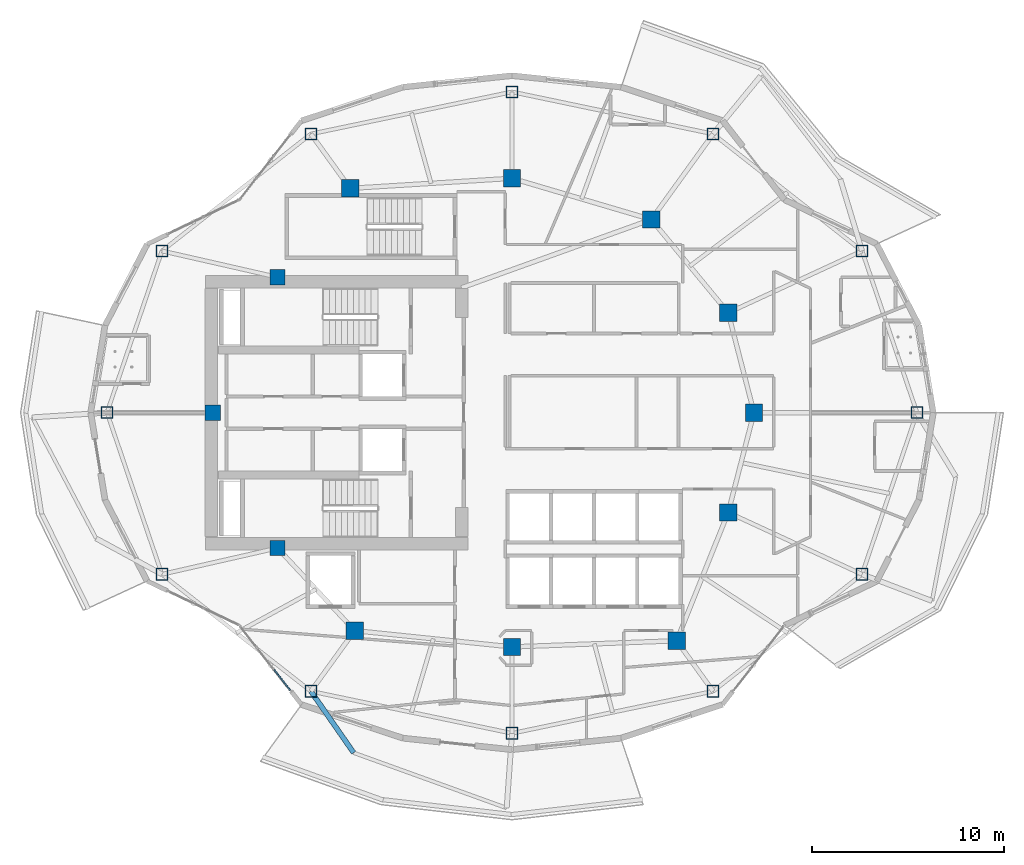
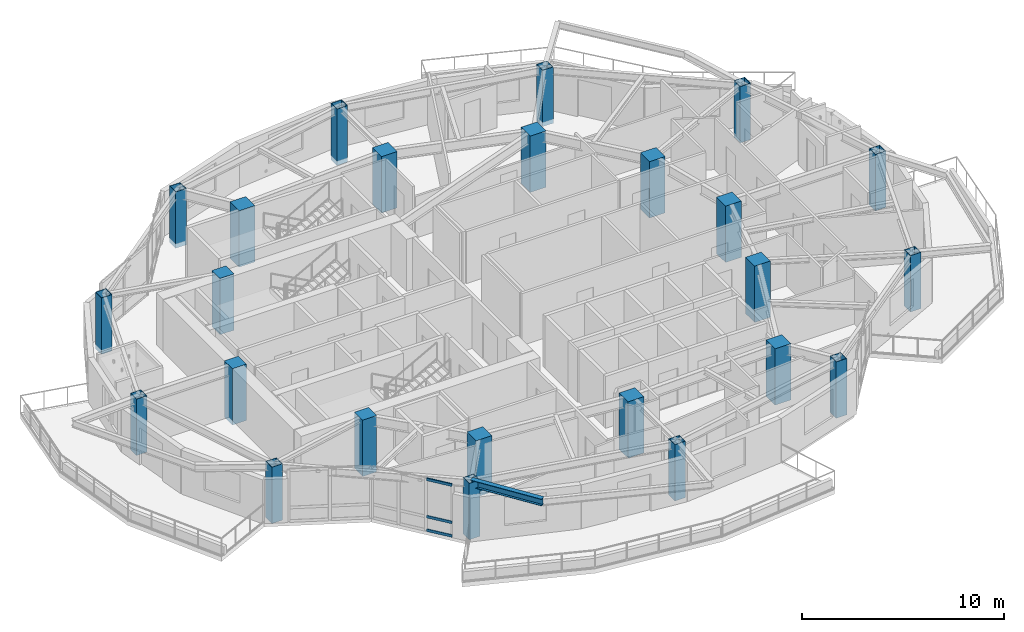
# One storey, part 1 of 19: 24 columns, 3 members, 1 beam, 1 element without a shape of its own.
"""IFC4 building model written with IfcOpenShell, lengths in metres."""

import ifcopenshell
import ifcopenshell.guid

model = None  # the IFC model being written
_history = None  # IfcOwnerHistory: only IFC2X3 demands one
_inside = {}  # id of a spatial element -> (the spatial element, [elements in it])
_under = {}  # id of a project, library or spatial element -> (it, [spatial elements below it])
_declared = {}  # id of a project -> (the project, [libraries it declares])
_typed = {}  # id of a type object -> (the type object, [elements of that type])
_made_of = {}  # id of a material, layer set ... -> (it, [elements and type objects made of it])


def new_model(schema):
    """Start an empty IFC model of exactly this schema.

    Asked for "IFC4X3", IfcOpenShell would pick the latest addendum, in which some entities
    have other attributes; the version numbers below select the first issue.
    IFC2X3 requires an IfcOwnerHistory on every rooted entity: one is made here for all.
    """
    global model, _history
    if schema == "IFC4X3":
        model = ifcopenshell.file(schema_version=(4, 3, 0, 0))
    else:
        model = ifcopenshell.file(schema=schema)
    _inside.clear()
    _under.clear()
    _declared.clear()
    _typed.clear()
    _made_of.clear()
    _history = None
    if model.schema == "IFC2X3":
        org = make("IfcOrganization", Name="unknown")
        user = make(
            "IfcPersonAndOrganization",
            ThePerson=make("IfcPerson", FamilyName="unknown"),
            TheOrganization=org,
        )
        app = make(
            "IfcApplication",
            ApplicationDeveloper=org,
            Version="unknown",
            ApplicationFullName="unknown",
            ApplicationIdentifier="unknown",
        )
        _history = make(
            "IfcOwnerHistory",
            OwningUser=user,
            OwningApplication=app,
            ChangeAction="ADDED",
            CreationDate=0,
        )
    return model


def make(cls, **values):
    """One entity of the class cls with the attributes given. An attribute that is None is left unset."""
    return model.create_entity(
        cls, **{name: value for name, value in values.items() if value is not None}
    )


def rooted(cls, **values):
    """An entity with a GlobalId (a new one), such as an element, a storey or a relation."""
    return make(cls, GlobalId=ifcopenshell.guid.new(), OwnerHistory=_history, **values)


def si_unit(unit_type, name, prefix=None):
    """IfcSIUnit, for example si_unit("LENGTHUNIT", "METRE", prefix="MILLI")."""
    return make("IfcSIUnit", UnitType=unit_type, Prefix=prefix, Name=name)


def assignment(units):
    """IfcUnitAssignment: the units of a project."""
    return None if units is None else make("IfcUnitAssignment", Units=units)


def point(xyz):
    """IfcCartesianPoint."""
    return None if xyz is None else make("IfcCartesianPoint", Coordinates=xyz)


def direction(xyz):
    """IfcDirection."""
    return None if xyz is None else make("IfcDirection", DirectionRatios=xyz)


def frame(location, z_axis=None, x_axis=None):
    """IfcAxis2Placement3D, a coordinate frame: its origin and axes. An axis left out is left unset."""
    return make(
        "IfcAxis2Placement3D",
        Location=point(location),
        Axis=direction(z_axis),
        RefDirection=direction(x_axis),
    )


def frame_2d(location, x_axis=None):
    """IfcAxis2Placement2D, a coordinate frame in the plane: its origin and x axis."""
    return make(
        "IfcAxis2Placement2D", Location=point(location), RefDirection=direction(x_axis)
    )


def origin():
    """The frame at (0, 0, 0) with its axes left unset."""
    return frame((0.0, 0.0, 0.0))


def origin_2d():
    """The frame at (0, 0) in the plane with its x axis left unset."""
    return frame_2d((0.0, 0.0))


def place(relative_to, where):
    """IfcLocalPlacement: puts the frame where relative to a parent placement (None: the world)."""
    return make(
        "IfcLocalPlacement", PlacementRelTo=relative_to, RelativePlacement=where
    )


def context(
    kind, dimensions, precision=None, world=None, true_north=None, identifier=None
):
    """IfcGeometricRepresentationContext, for example the 3D "Model" context."""
    return make(
        "IfcGeometricRepresentationContext",
        ContextIdentifier=identifier,
        ContextType=kind,
        CoordinateSpaceDimension=dimensions,
        Precision=precision,
        WorldCoordinateSystem=world,
        TrueNorth=true_north,
    )


def subcontext(parent, identifier, kind, view, scale=None):
    """IfcGeometricRepresentationSubContext, for example "Body" below "Model"."""
    return make(
        "IfcGeometricRepresentationSubContext",
        ContextIdentifier=identifier,
        ContextType=kind,
        ParentContext=parent,
        TargetScale=scale,
        TargetView=view,
    )


def project(units=None, contexts=None):
    """IfcProject with its units and contexts."""
    return rooted(
        "IfcProject",
        Name="project",
        RepresentationContexts=contexts,
        UnitsInContext=assignment(units),
    )


def spatial(cls, under=None, at=None, **own):
    """A site, building, storey or space (cls), placed at a placement, below another one or the project."""
    s = rooted(cls, ObjectPlacement=at, **own)
    if under is not None:
        _under.setdefault(under.id(), (under, []))[1].append(s)
    return s


def profile(cls, at=None, kind="AREA", **sizes):
    """A parametric profile (cls). Its sizes go by their IFC names, for example OverallWidth=200.0."""
    return make(cls, ProfileType=kind, Position=at, **sizes)


def rectangle(**sizes):
    """IfcRectangleProfileDef."""
    return profile("IfcRectangleProfileDef", **sizes)


def hollow_rectangle(**sizes):
    """IfcRectangleHollowProfileDef."""
    return profile("IfcRectangleHollowProfileDef", **sizes)


def i_section(**sizes):
    """IfcIShapeProfileDef."""
    return profile("IfcIShapeProfileDef", **sizes)


def extrude(swept, where, along, depth):
    """IfcExtrudedAreaSolid: the profile swept, set in the frame where, extruded along a direction by depth."""
    return make(
        "IfcExtrudedAreaSolid",
        SweptArea=swept,
        Position=where,
        ExtrudedDirection=direction(along),
        Depth=depth,
    )


def shape(context_of_items, identifier, shape_type, items):
    """IfcShapeRepresentation: the items that make up one representation, for example the "Body"."""
    return make(
        "IfcShapeRepresentation",
        ContextOfItems=context_of_items,
        RepresentationIdentifier=identifier,
        RepresentationType=shape_type,
        Items=items,
    )


def material(Name=None, Category=None):
    """IfcMaterial."""
    return make("IfcMaterial", Name=Name, Category=Category)


def layer(
    of_material, thickness, ventilated=None, Name=None, Category=None, Priority=None
):
    """IfcMaterialLayer: one layer of a wall or slab, of a material (None: an air gap)."""
    return make(
        "IfcMaterialLayer",
        Material=of_material,
        LayerThickness=thickness,
        IsVentilated=ventilated,
        Name=Name,
        Category=Category,
        Priority=Priority,
    )


def layer_set(layers, Name=None):
    """IfcMaterialLayerSet."""
    return make("IfcMaterialLayerSet", MaterialLayers=layers, LayerSetName=Name)


def material_profile(
    of_material, cross_section, Name=None, Category=None, Priority=None
):
    """IfcMaterialProfile: a cross section and its material."""
    return make(
        "IfcMaterialProfile",
        Name=Name,
        Material=of_material,
        Profile=cross_section,
        Priority=Priority,
        Category=Category,
    )


def profile_set(profiles, Name=None, composite=None):
    """IfcMaterialProfileSet."""
    return make(
        "IfcMaterialProfileSet",
        Name=Name,
        MaterialProfiles=profiles,
        CompositeProfile=composite,
    )


def made_of(thing, what):
    """Note that an element or type object is made of a material, layer set ...; save() writes the relation."""
    if what is not None:
        _made_of.setdefault(what.id(), (what, []))[1].append(thing)
    return thing


def type_object(cls, material=None, **own):
    """A type object (cls), such as IfcWallType, which elements share."""
    return made_of(rooted(cls, **own), material)


def element(
    cls,
    number,
    at=None,
    inside=None,
    cuts=None,
    type_object=None,
    material=None,
    context=None,
    identifier="Body",
    shape_type=None,
    held_by="IfcProductDefinitionShape",
    body=None,
    shapes=None,
    **own,
):
    """One element of the class cls, such as IfcWall. Its Tag is "e" and its number.

    at: its placement. inside: the storey or other place that contains it. cuts: it is an
    opening in that element (IfcRelVoidsElement). A single representation is given by context,
    identifier, shape_type and body (its items); several are given by shapes. held_by: the class
    of the entity that holds the representations. save() writes the other relations.
    """
    e = rooted(cls, Tag="e%d" % number, ObjectPlacement=at, **own)
    if body is not None:
        shapes = [shape(context, identifier, shape_type, body)]
    if shapes is not None:
        e.Representation = make(held_by, Representations=shapes)
    if inside is not None:
        _inside.setdefault(inside.id(), (inside, []))[1].append(e)
    if cuts is not None:
        rooted(
            "IfcRelVoidsElement", RelatingBuildingElement=cuts, RelatedOpeningElement=e
        )
    if type_object is not None:
        _typed.setdefault(type_object.id(), (type_object, []))[1].append(e)
    return made_of(e, material)


def aggregate(whole, parts):
    """IfcRelAggregates: a whole, such as a stair, and the parts it consists of."""
    return rooted("IfcRelAggregates", RelatingObject=whole, RelatedObjects=parts)


def save(model, path):
    """Write the relations noted so far, then the file.

    IfcRelAggregates (storeys below a building ...), IfcRelContainedInSpatialStructure (elements
    in a storey), IfcRelDefinesByType, IfcRelAssociatesMaterial and IfcRelDeclares: one each for
    every whole, place, type object, material and project.
    """
    for whole, parts in _under.values():
        aggregate(whole, parts)
    for where, things in _inside.values():
        rooted(
            "IfcRelContainedInSpatialStructure",
            RelatedElements=things,
            RelatingStructure=where,
        )
    for kind, things in _typed.values():
        rooted("IfcRelDefinesByType", RelatedObjects=things, RelatingType=kind)
    for what, things in _made_of.values():
        rooted("IfcRelAssociatesMaterial", RelatedObjects=things, RelatingMaterial=what)
    for by, libraries in _declared.values():
        rooted("IfcRelDeclares", RelatingContext=by, RelatedDefinitions=libraries)
    model.write(path)


model = new_model("IFC4")

# Units and contexts
model_context = context("Model", 3, precision=1e-05, world=origin(), true_north=direction((0.0, 1.0)))
body_context = subcontext(model_context, "Body", "Model", "MODEL_VIEW")
ifc_project = project(units=[si_unit("LENGTHUNIT", "METRE"), si_unit("AREAUNIT", "SQUARE_METRE"), si_unit("VOLUMEUNIT", "CUBIC_METRE"), si_unit("PLANEANGLEUNIT", "RADIAN"), si_unit("MASSUNIT", "GRAM", prefix="KILO")], contexts=[model_context])

# Site, building, storey
site_placement = place(None, origin())
site = spatial("IfcSite", under=ifc_project, at=site_placement, CompositionType="ELEMENT")
building_placement = place(site_placement, origin())
building = spatial("IfcBuilding", under=site, at=building_placement, Name="Kolvaren Gate Tower and Convention Centre", CompositionType="ELEMENT")
storey_placement = place(building_placement, frame((0.0, 0.0, 163.10009765625)))
storey = spatial("IfcBuildingStorey", under=building, at=storey_placement, Name="L42", CompositionType="ELEMENT", Elevation=163.10009765625)

# Columns
ifc_material_1 = material(Name="Structural steel ASTM A1085 Grade A 345 MPa", Category="steel")
ifc_material_profile_1 = material_profile(ifc_material_1, hollow_rectangle(XDim=0.610107421875, YDim=0.610107421875, WallThickness=0.025390625, at=origin_2d()), Name="HSS610X610X25.4")
ifc_profile_set_1 = profile_set([ifc_material_profile_1], Name="Structural steel ASTM A1085 Grade A 345 MPa")
column_type_1 = type_object("IfcColumnType", Name="STR-COL-HSS610", PredefinedType="COLUMN", material=ifc_profile_set_1)
for number, where, z_axis, x_axis, name in (
    (1, (51.21240234375, 27.0, -0.27001953125), (0.0, 0.0, 1.0), (1.0, 0.0, 0.0), "Tower L42 Perimeter Supercolumn TP-01"),
    (2, (48.351806640625, 35.418701171875, -0.27001953125), (0.0, 0.0, 1.0), (1.0, 0.0, 0.0), "Tower L42 Perimeter Supercolumn TP-02"),
    (3, (40.596435546875, 41.509521484375, -0.27001953125), (0.0, 0.0, 1.0), (1.0, 0.0, 0.0), "Tower L42 Perimeter Supercolumn TP-03"),
    (4, (30.125, 43.699951171875, -0.27001953125), (0.0, 0.0, 1.0), (1.0, 0.0, 0.0), "Tower L42 Perimeter Supercolumn TP-04"),
    (5, (19.65380859375, 41.509521484375, -0.27001953125), (0.0, 0.0, 1.0), (1.0, 0.0, 0.0), "Tower L42 Perimeter Supercolumn TP-05"),
    (6, (11.898193359375, 35.418701171875, -0.27001953125), (0.0, 0.0, 1.0), (1.0, 0.0, 0.0), "Tower L42 Perimeter Supercolumn TP-06"),
    (7, (9.03759765625, 27.0, -0.27001953125), (0.0, 0.0, 1.0), (1.0, 0.0, 0.0), "Tower L42 Perimeter Supercolumn TP-07"),
    (8, (11.898193359375, 18.581298828125, -0.27001953125), (0.0, 0.0, 1.0), (1.0, 0.0, 0.0), "Tower L42 Perimeter Supercolumn TP-08"),
    (9, (19.653564453125, 12.490478515625, -0.27001953125), (0.0, 0.0, 1.0), (1.0, 0.0, 0.0), "Tower L42 Perimeter Supercolumn TP-09"),
    (10, (30.125, 10.300048828125, -0.27001953125), (0.0, 0.0, 1.0), (1.0, 0.0, 0.0), "Tower L42 Perimeter Supercolumn TP-10"),
    (11, (40.596435546875, 12.490478515625, -0.27001953125), (0.0, 0.0, 1.0), (1.0, 0.0, 0.0), "Tower L42 Perimeter Supercolumn TP-11"),
    (12, (48.351806640625, 18.581298828125, -0.27001953125), (0.0, 0.0, 1.0), (1.0, 0.0, 0.0), "Tower L42 Perimeter Supercolumn TP-12"),
):
    element("IfcColumn", number, at=place(storey_placement, frame(where, z_axis=z_axis, x_axis=x_axis)), inside=storey, type_object=column_type_1, Name=name, PredefinedType="COLUMN", context=body_context, shape_type="SweptSolid", body=[
        extrude(hollow_rectangle(XDim=0.610107421875, YDim=0.610107421875, WallThickness=0.025390625, at=origin_2d()), origin(), (0.0, 0.0, 1.0), 3.39990234375),
    ])
ifc_material_2 = material(Name="Concrete C60/75", Category="concrete")
ifc_material_profile_2 = material_profile(ifc_material_2, rectangle(XDim=0.89990234375, YDim=0.89990234375, at=origin_2d()), Name="RC-COL-900X900")
ifc_profile_set_2 = profile_set([ifc_material_profile_2], Name="Concrete C60/75")
column_type_2 = type_object("IfcColumnType", Name="STR-COL-RC900", PredefinedType="COLUMN", material=ifc_profile_set_2)
for number, where, z_axis, x_axis, name in (
    (13, (42.72509765625, 27.0, -0.27001953125), (0.0, 0.0, 1.0), (1.0, 0.0, 0.0), "Tower L42 Interior Column TI-01"),
    (14, (41.382080078125, 32.199462890625, -0.27001953125), (0.0, 0.0, 1.0), (1.0, 0.0, 0.0), "Tower L42 Interior Column TI-02"),
    (15, (37.381591796875, 37.054931640625, -0.27001953125), (0.0, 0.0, 1.0), (1.0, 0.0, 0.0), "Tower L42 Interior Column TI-03"),
    (16, (30.125, 39.199951171875, -0.27001953125), (0.0, 0.0, 1.0), (1.0, 0.0, 0.0), "Tower L42 Interior Column TI-04"),
    (17, (21.697998046875, 38.6767578125, -0.27001953125), (0.0, 0.0, 1.0), (1.0, 0.0, 0.0), "Tower L42 Interior Column TI-05"),
    (18, (21.93212890625, 15.647705078125, -0.27001953125), (0.0, 0.0, 1.0), (1.0, 0.0, 0.0), "Tower L42 Interior Column TI-06"),
    (19, (30.125, 14.800048828125, -0.27001953125), (0.0, 0.0, 1.0), (1.0, 0.0, 0.0), "Tower L42 Interior Column TI-07"),
    (20, (38.6982421875, 15.12060546875, -0.27001953125), (0.0, 0.0, 1.0), (1.0, 0.0, 0.0), "Tower L42 Interior Column TI-08"),
    (21, (41.382080078125, 21.800537109375, -0.27001953125), (0.0, 0.0, 1.0), (1.0, 0.0, 0.0), "Tower L42 Interior Column TI-09"),
):
    element("IfcColumn", number, at=place(storey_placement, frame(where, z_axis=z_axis, x_axis=x_axis)), inside=storey, type_object=column_type_2, Name=name, PredefinedType="COLUMN", context=body_context, shape_type="SweptSolid", body=[
        extrude(rectangle(XDim=0.89990234375, YDim=0.89990234375, at=origin_2d()), origin(), (0.0, 0.0, 1.0), 3.39990234375),
    ])
ifc_material_profile_3 = material_profile(ifc_material_2, rectangle(XDim=0.800048828125, YDim=0.800048828125, at=origin_2d()), Name="RC-COL-800X800")
ifc_profile_set_3 = profile_set([ifc_material_profile_3], Name="Concrete C60/75")
column_type_3 = type_object("IfcColumnType", Name="STR-PIL-RC800", PredefinedType="PILASTER", material=ifc_profile_set_3)
for number, where, z_axis, x_axis, name in (
    (22, (17.9140625, 34.050048828125, -0.27001953125), (0.0, 0.0, 1.0), (1.0, 0.0, 0.0), "Tower L42 Core Boundary Pilaster TC-05"),
    (23, (14.550048828125, 27.0, -0.27001953125), (0.0, 0.0, 1.0), (1.0, 0.0, 0.0), "Tower L42 Core Boundary Pilaster TC-06"),
    (24, (17.9140625, 19.949951171875, -0.27001953125), (0.0, 0.0, 1.0), (1.0, 0.0, 0.0), "Tower L42 Core Boundary Pilaster TC-07"),
):
    element("IfcColumn", number, at=place(storey_placement, frame(where, z_axis=z_axis, x_axis=x_axis)), inside=storey, type_object=column_type_3, Name=name, PredefinedType="PILASTER", context=body_context, shape_type="SweptSolid", body=[
        extrude(rectangle(XDim=0.800048828125, YDim=0.800048828125, at=origin_2d()), origin(), (0.0, 0.0, 1.0), 3.39990234375),
    ])

# Curtain wall, members
ifc_material_3 = material(Name="Anodized Architectural Aluminium Alloy 6063-T6", Category="aluminium")
ifc_layer = layer(ifc_material_3, 0.159912109375)
ifc_layer_set = layer_set([ifc_layer], Name="Anodized Architectural Aluminium Alloy 6063-T6")
curtain_wall_type = type_object("IfcCurtainWallType", Name="CW-HTL-UNIT", PredefinedType="NOTDEFINED", material=ifc_layer_set)
curtain_wall_placement = place(storey_placement, origin())
curtain_wall = element("IfcCurtainWall", 25, at=curtain_wall_placement, inside=storey, type_object=curtain_wall_type, Name="Tower L42 Unitised Curtain Wall CW-HTL-UNIT Bay 15", PredefinedType="NOTDEFINED")
ifc_material_profile_4 = material_profile(ifc_material_3, rectangle(XDim=0.06494140625, YDim=0.159912109375, at=origin_2d()), Name="CW-MEM-TRN-160")
ifc_profile_set_4 = profile_set([ifc_material_profile_4], Name="Anodized Architectural Aluminium Alloy 6063-T6")
member_type = type_object("IfcMemberType", Name="CW-MEM-TRN-160", PredefinedType="USERDEFINED", material=ifc_profile_set_4)
member_1_placement = place(storey_placement, frame((17.742919921875, 13.6064453125, 0.032470703125), z_axis=(0.616376452985, -0.787451629121, 0.0), x_axis=(0.787451629121, 0.616376452985, 0.0)))
member_1 = element("IfcMember", 26, at=member_1_placement, type_object=member_type, Name="CW-03 transom 3.1", ObjectType="TRANSOM", PredefinedType="USERDEFINED", context=body_context, shape_type="SweptSolid", body=[
    extrude(rectangle(XDim=0.06494140625, YDim=0.159912109375, at=origin_2d()), origin(), (0.0, 0.0, 1.0), 1.3515625),
])
member_2_placement = place(storey_placement, frame((17.742919921875, 13.6064453125, 0.849853515625), z_axis=(0.616376452985, -0.787451629121, 0.0), x_axis=(0.787451629121, 0.616376452985, 0.0)))
member_2 = element("IfcMember", 27, at=member_2_placement, type_object=member_type, Name="CW-03 transom 3.2", ObjectType="TRANSOM", PredefinedType="USERDEFINED", context=body_context, shape_type="SweptSolid", body=[
    extrude(rectangle(XDim=0.06494140625, YDim=0.159912109375, at=origin_2d()), origin(), (0.0, 0.0, 1.0), 1.3515625),
])
member_3_placement = place(storey_placement, frame((17.742919921875, 13.6064453125, 3.097412109375), z_axis=(0.616376452985, -0.787451629121, 0.0), x_axis=(0.787451629121, 0.616376452985, 0.0)))
member_3 = element("IfcMember", 28, at=member_3_placement, type_object=member_type, Name="CW-03 transom 3.3", ObjectType="TRANSOM", PredefinedType="USERDEFINED", context=body_context, shape_type="SweptSolid", body=[
    extrude(rectangle(XDim=0.06494140625, YDim=0.159912109375, at=origin_2d()), origin(), (0.0, 0.0, 1.0), 1.3515625),
])
aggregate(curtain_wall, [member_1, member_2, member_3])

# Beam
ifc_material_4 = material(Name="Structural steel ASTM A992 Grade 345 MPa", Category="steel")
ifc_material_profile_5 = material_profile(ifc_material_4, i_section(OverallWidth=0.260009765625, OverallDepth=0.419921875, WebThickness=0.013427734375, FlangeThickness=0.0224609375, at=origin_2d()), Name="W410X132")
ifc_profile_set_5 = profile_set([ifc_material_profile_5], Name="Structural steel ASTM A992 Grade 345 MPa")
beam_type = type_object("IfcBeamType", Name="STR-BM-W410X132", PredefinedType="BEAM", material=ifc_profile_set_5)
beam_placement = place(storey_placement, frame((19.653564453125, 12.490478515625, 2.92041015625), z_axis=(0.57084620656, -0.821057006825, 0.0), x_axis=(0.821057006825, 0.57084620656, 0.0)))
element("IfcBeam", 29, at=beam_placement, inside=storey, type_object=beam_type, Name="Tower L43 Planted Balcony Outrigger Cantilever BC-3A", PredefinedType="BEAM", context=body_context, shape_type="SweptSolid", body=[
    extrude(i_section(OverallWidth=0.260009765625, OverallDepth=0.419921875, WebThickness=0.013427734375, FlangeThickness=0.0224609375, at=origin_2d()), origin(), (0.0, 0.0, 1.0), 3.900146484375),
])

save(model, "model.ifc")
